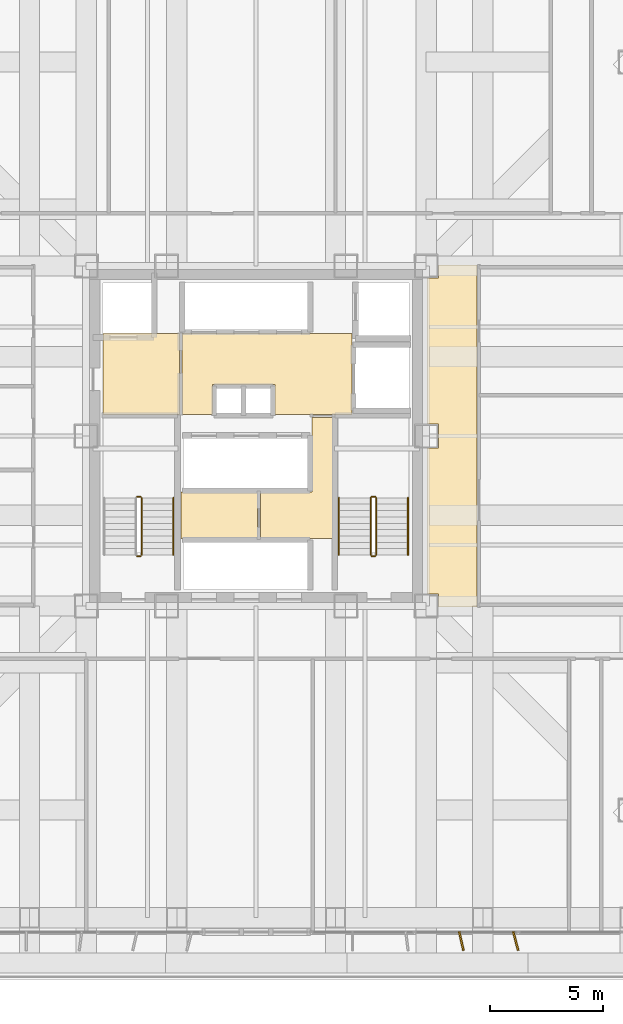
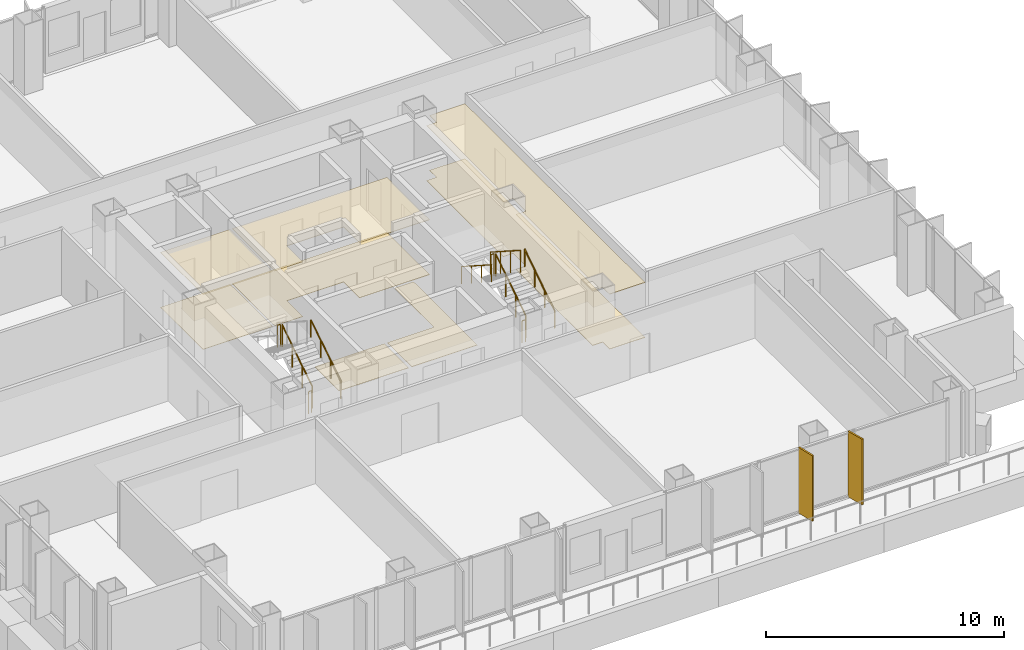
# One storey, part 16 of 17: 10 railings, 8 coverings, 2 shading devices.
"""IFC4 building model written with IfcOpenShell, lengths in metres."""

from ifc_helpers import new_model, si_unit, direction, frame, origin, origin_2d, place, context, subcontext, project, spatial, polyline, rectangle, circle, outline, extrude, material, layer, layer_set, type_object, element, save


model = new_model("IFC4")

# Units and contexts
model_context = context("Model", 3, precision=1e-05, world=origin(), true_north=direction((0.0, 1.0)))
body_context = subcontext(model_context, "Body", "Model", "MODEL_VIEW")
ifc_project = project(units=[si_unit("LENGTHUNIT", "METRE"), si_unit("AREAUNIT", "SQUARE_METRE"), si_unit("VOLUMEUNIT", "CUBIC_METRE"), si_unit("PLANEANGLEUNIT", "RADIAN"), si_unit("MASSUNIT", "GRAM", prefix="KILO")], contexts=[model_context])

# Site, building, storey
site_placement = place(None, origin())
site = spatial("IfcSite", under=ifc_project, at=site_placement, CompositionType="ELEMENT")
building_placement = place(site_placement, origin())
building = spatial("IfcBuilding", under=site, at=building_placement, Name="Trevonay Congress Spire", CompositionType="ELEMENT")
storey_placement = place(building_placement, frame((0.0, 0.0, 94.0)))
storey = spatial("IfcBuildingStorey", under=building, at=storey_placement, Name="L23", CompositionType="ELEMENT", Elevation=94.0)

# Coverings
ifc_material_1 = material(Name="Acoustic Mineral Fibre Board", Category="gypsum")
ifc_layer_1 = layer(ifc_material_1, 0.02490234375, Name="Acoustic Mineral Fibre Board")
ifc_layer_set_1 = layer_set([ifc_layer_1], Name="Acoustic Mineral Fibre Board")
covering_type_1 = type_object("IfcCoveringType", Name="COV-CEIL-ACOUSTIC", PredefinedType="CEILING", material=ifc_layer_set_1)
covering_1_placement = place(storey_placement, frame((0.0, 0.0, 2.81005859375)))
element("IfcCovering", 1, at=covering_1_placement, inside=storey, type_object=covering_type_1, Name="L23 Firefighting Lift Lobby West acoustic suspended ceiling", PredefinedType="CEILING", context=body_context, shape_type="SweptSolid", body=[
    extrude(outline(polyline([(-6.75, 0.9599609375), (-3.3798828125, 0.9599609375), (-3.3798828125, 4.52001953125), (-6.75, 4.52001953125), (-6.75, 0.9599609375)])), origin(), (0.0, 0.0, 1.0), 0.02490234375),
])
covering_2_placement = place(storey_placement, frame((0.0, 0.0, 2.81005859375)))
element("IfcCovering", 2, at=covering_2_placement, inside=storey, type_object=covering_type_1, Name="L23 Central and High-Rise Passenger Lift Lobby acoustic suspended ceiling", PredefinedType="CEILING", context=body_context, shape_type="SweptSolid", body=[
    extrude(outline(polyline([(-3.280029296875, 0.949951171875), (-1.919921875, 0.949951171875), (-1.919921875, 2.280029296875), (0.820068359375, 2.280029296875), (0.820068359375, 0.949951171875), (4.219970703125, 0.949951171875), (4.219970703125, 4.52001953125), (-3.280029296875, 4.52001953125), (-3.280029296875, 0.949951171875)])), origin(), (0.0, 0.0, 1.0), 0.02490234375),
])
covering_3_placement = place(storey_placement, frame((0.0, 0.0, 2.81005859375)))
element("IfcCovering", 3, at=covering_3_placement, inside=storey, type_object=covering_type_1, Name="L23 Sky Lobby Concourse East acoustic suspended ceiling", PredefinedType="CEILING", context=body_context, shape_type="SweptSolid", body=[
    extrude(outline(polyline([(9.75, -7.550048828125), (8.034912109375, -7.550048828125), (8.034912109375, -6.965087890625), (7.550048828125, -6.965087890625), (7.550048828125, -0.534912109375), (8.034912109375, -0.534912109375), (8.034912109375, 0.534912109375), (7.550048828125, 0.534912109375), (7.550048828125, 6.965087890625), (8.034912109375, 6.965087890625), (8.034912109375, 7.550048828125), (9.75, 7.550048828125), (9.75, -7.550048828125)])), origin(), (0.0, 0.0, 1.0), 0.02490234375),
])
ifc_material_2 = material(Name="Polished Granite Floor Tile", Category="masonry")
ifc_layer_2 = layer(ifc_material_2, 0.02001953125, Name="Polished Granite Floor Tile")
ifc_layer_set_2 = layer_set([ifc_layer_2], Name="Polished Granite Floor Tile")
covering_type_2 = type_object("IfcCoveringType", Name="COV-FLOOR-STONE", PredefinedType="FLOORING", material=ifc_layer_set_2)
covering_4_placement = place(storey_placement, origin())
element("IfcCovering", 4, at=covering_4_placement, inside=storey, type_object=covering_type_2, Name="L23 Firefighting Lift Lobby West floor finish", PredefinedType="FLOORING", context=body_context, shape_type="SweptSolid", body=[
    extrude(outline(polyline([(-6.75, 0.9599609375), (-3.3798828125, 0.9599609375), (-3.3798828125, 4.52001953125), (-6.75, 4.52001953125), (-6.75, 0.9599609375)])), origin(), (0.0, 0.0, 1.0), 0.02001953125),
])
covering_5_placement = place(storey_placement, origin())
element("IfcCovering", 5, at=covering_5_placement, inside=storey, type_object=covering_type_2, Name="L23 Central and High-Rise Passenger Lift Lobby floor finish", PredefinedType="FLOORING", context=body_context, shape_type="SweptSolid", body=[
    extrude(outline(polyline([(-3.280029296875, 0.949951171875), (-1.919921875, 0.949951171875), (-1.919921875, 2.280029296875), (0.820068359375, 2.280029296875), (0.820068359375, 0.949951171875), (4.219970703125, 0.949951171875), (4.219970703125, 4.52001953125), (-3.280029296875, 4.52001953125), (-3.280029296875, 0.949951171875)])), origin(), (0.0, 0.0, 1.0), 0.02001953125),
])
covering_6_placement = place(storey_placement, origin())
element("IfcCovering", 6, at=covering_6_placement, inside=storey, type_object=covering_type_2, Name="L23 Cleaner and Linen Closet floor finish", PredefinedType="FLOORING", context=body_context, shape_type="SweptSolid", body=[
    extrude(outline(polyline([(-3.320068359375, -4.52001953125), (0.050048828125, -4.52001953125), (0.050048828125, -2.47998046875), (-3.320068359375, -2.47998046875), (-3.320068359375, -4.52001953125)])), origin(), (0.0, 0.0, 1.0), 0.02001953125),
])
covering_7_placement = place(storey_placement, origin())
element("IfcCovering", 7, at=covering_7_placement, inside=storey, type_object=covering_type_2, Name="L23 BMS Control Room floor finish", PredefinedType="FLOORING", context=body_context, shape_type="SweptSolid", body=[
    extrude(outline(polyline([(0.199951171875, -4.52001953125), (3.3798828125, -4.52001953125), (3.3798828125, 0.820068359375), (2.4599609375, 0.820068359375), (2.4599609375, -2.47998046875), (0.199951171875, -2.47998046875), (0.199951171875, -4.52001953125)])), origin(), (0.0, 0.0, 1.0), 0.02001953125),
])
covering_8_placement = place(storey_placement, origin())
element("IfcCovering", 8, at=covering_8_placement, inside=storey, type_object=covering_type_2, Name="L23 Sky Lobby Concourse East floor finish", PredefinedType="FLOORING", context=body_context, shape_type="SweptSolid", body=[
    extrude(outline(polyline([(9.75, -7.550048828125), (8.034912109375, -7.550048828125), (8.034912109375, -6.965087890625), (7.550048828125, -6.965087890625), (7.550048828125, -0.534912109375), (8.034912109375, -0.534912109375), (8.034912109375, 0.534912109375), (7.550048828125, 0.534912109375), (7.550048828125, 6.965087890625), (8.034912109375, 6.965087890625), (8.034912109375, 7.550048828125), (9.75, 7.550048828125), (9.75, -7.550048828125)])), origin(), (0.0, 0.0, 1.0), 0.02001953125),
])

# Railings
ifc_material_3 = material(Name="Pale Anodised Aluminium EN AW-6063-T6", Category="aluminium")
railing_type_1 = type_object("IfcRailingType", Name="RAL-STAIR-GUARD-110", PredefinedType="GUARDRAIL", material=ifc_material_3)
railing_1_placement = place(storey_placement, frame((-5.050048828125, -5.25, 0.179931640625)))
element("IfcRailing", 9, at=railing_1_placement, inside=storey, type_object=railing_type_1, Name="L23 ST-1 stair guard 1", PredefinedType="GUARDRAIL", context=body_context, shape_type="SweptSolid", body=[
    extrude(circle(Radius=0.02392578125, at=origin_2d()), frame((0.0, 0.0, 1.1259765625), z_axis=(0.0, 0.841162588446, 0.540782303519), x_axis=(-1.0, 0.0, 0.0)), (0.0, 0.0, 1.0), 2.995849609375),
    extrude(circle(Radius=0.02099609375, at=origin_2d()), origin(), (0.0, 0.0, 1.0), 1.101806640625),
    extrude(circle(Radius=0.02099609375, at=origin_2d()), frame((0.0, 0.840087890625, 0.5400390625)), (0.0, 0.0, 1.0), 1.101806640625),
    extrude(circle(Radius=0.02099609375, at=origin_2d()), frame((0.0, 1.679931640625, 1.080078125)), (0.0, 0.0, 1.0), 1.101806640625),
    extrude(circle(Radius=0.02099609375, at=origin_2d()), frame((0.0, 2.52001953125, 1.6201171875)), (0.0, 0.0, 1.0), 1.101806640625),
])
for number, where, name in (
    (10, (-5.10009765625, -2.679931640625, 1.800048828125), "L23 ST-1 stair guard 2"),
    (11, (-5.10009765625, -5.300048828125, 0.0), "L23 ST-1 stair guard 4"),
):
    element("IfcRailing", number, at=place(storey_placement, frame(where)), inside=storey, type_object=railing_type_1, Name=name, PredefinedType="GUARDRAIL", context=body_context, shape_type="SweptSolid", body=[
        extrude(circle(Radius=0.02392578125, at=origin_2d()), frame((0.0, 0.0, 1.1259765625), z_axis=(-1.0, 0.0, 0.0), x_axis=(0.0, -1.0, 0.0)), (0.0, 0.0, 1.0), 0.14990234375),
        extrude(circle(Radius=0.02099609375, at=origin_2d()), origin(), (0.0, 0.0, 1.0), 1.101806640625),
        extrude(circle(Radius=0.02099609375, at=origin_2d()), frame((-0.14990234375, 0.0, 0.0)), (0.0, 0.0, 1.0), 1.101806640625),
    ])
railing_2_placement = place(storey_placement, frame((5.300048828125, -5.25, 0.179931640625)))
element("IfcRailing", 12, at=railing_2_placement, inside=storey, type_object=railing_type_1, Name="L23 ST-2 stair guard 1", PredefinedType="GUARDRAIL", context=body_context, shape_type="SweptSolid", body=[
    extrude(circle(Radius=0.02392578125, at=origin_2d()), frame((0.0, 0.0, 1.1259765625), z_axis=(0.0, 0.841162588446, 0.540782303519), x_axis=(-1.0, 0.0, 0.0)), (0.0, 0.0, 1.0), 2.995849609375),
    extrude(circle(Radius=0.02099609375, at=origin_2d()), origin(), (0.0, 0.0, 1.0), 1.101806640625),
    extrude(circle(Radius=0.02099609375, at=origin_2d()), frame((0.0, 0.840087890625, 0.5400390625)), (0.0, 0.0, 1.0), 1.101806640625),
    extrude(circle(Radius=0.02099609375, at=origin_2d()), frame((0.0, 1.679931640625, 1.080078125)), (0.0, 0.0, 1.0), 1.101806640625),
    extrude(circle(Radius=0.02099609375, at=origin_2d()), frame((0.0, 2.52001953125, 1.6201171875)), (0.0, 0.0, 1.0), 1.101806640625),
])
railing_3_placement = place(storey_placement, frame((5.25, -2.679931640625, 1.800048828125)))
element("IfcRailing", 13, at=railing_3_placement, inside=storey, type_object=railing_type_1, Name="L23 ST-2 stair guard 2", PredefinedType="GUARDRAIL", context=body_context, shape_type="SweptSolid", body=[
    extrude(circle(Radius=0.02392578125, at=origin_2d()), frame((0.0, 0.0, 1.1259765625), z_axis=(-1.0, 0.0, 0.0), x_axis=(0.0, -1.0, 0.0)), (0.0, 0.0, 1.0), 0.14990234375),
    extrude(circle(Radius=0.02099609375, at=origin_2d()), origin(), (0.0, 0.0, 1.0), 1.101806640625),
    extrude(circle(Radius=0.02099609375, at=origin_2d()), frame((-0.14990234375, 0.0, 0.0)), (0.0, 0.0, 1.0), 1.101806640625),
])
railing_4_placement = place(storey_placement, frame((5.050048828125, -2.72998046875, 1.97998046875)))
element("IfcRailing", 14, at=railing_4_placement, inside=storey, type_object=railing_type_1, Name="L23 ST-2 stair guard 3", PredefinedType="GUARDRAIL", context=body_context, shape_type="SweptSolid", body=[
    extrude(circle(Radius=0.02392578125, at=origin_2d()), frame((0.0, 0.0, 1.1259765625), z_axis=(0.0, -0.841162588446, 0.540782303519), x_axis=(1.0, 0.0, 0.0)), (0.0, 0.0, 1.0), 2.995849609375),
    extrude(circle(Radius=0.02099609375, at=origin_2d()), origin(), (0.0, 0.0, 1.0), 1.101806640625),
    extrude(circle(Radius=0.02099609375, at=origin_2d()), frame((0.0, -0.840087890625, 0.5400390625)), (0.0, 0.0, 1.0), 1.101806640625),
    extrude(circle(Radius=0.02099609375, at=origin_2d()), frame((0.0, -1.679931640625, 1.080078125)), (0.0, 0.0, 1.0), 1.101806640625),
    extrude(circle(Radius=0.02099609375, at=origin_2d()), frame((0.0, -2.52001953125, 1.6201171875)), (0.0, 0.0, 1.0), 1.101806640625),
])
railing_5_placement = place(storey_placement, frame((5.25, -5.300048828125, 0.0)))
element("IfcRailing", 15, at=railing_5_placement, inside=storey, type_object=railing_type_1, Name="L23 ST-2 stair guard 4", PredefinedType="GUARDRAIL", context=body_context, shape_type="SweptSolid", body=[
    extrude(circle(Radius=0.02392578125, at=origin_2d()), frame((0.0, 0.0, 1.1259765625), z_axis=(-1.0, 0.0, 0.0), x_axis=(0.0, -1.0, 0.0)), (0.0, 0.0, 1.0), 0.14990234375),
    extrude(circle(Radius=0.02099609375, at=origin_2d()), origin(), (0.0, 0.0, 1.0), 1.101806640625),
    extrude(circle(Radius=0.02099609375, at=origin_2d()), frame((-0.14990234375, 0.0, 0.0)), (0.0, 0.0, 1.0), 1.101806640625),
])
railing_type_2 = type_object("IfcRailingType", Name="RAL-STAIR-HANDRAIL", PredefinedType="HANDRAIL", material=ifc_material_3)
for number, where, name in (
    (16, (-3.64990234375, -5.25, 0.179931640625), "L23 ST-1 stair handrail 1"),
    (17, (6.699951171875, -5.25, 0.179931640625), "L23 ST-2 stair handrail 1"),
):
    element("IfcRailing", number, at=place(storey_placement, frame(where)), inside=storey, type_object=railing_type_2, Name=name, PredefinedType="HANDRAIL", context=body_context, shape_type="SweptSolid", body=[
        extrude(circle(Radius=0.02392578125, at=origin_2d()), frame((0.0, 0.0, 0.8759765625), z_axis=(0.0, 0.841162588446, 0.540782303519), x_axis=(-1.0, 0.0, 0.0)), (0.0, 0.0, 1.0), 2.995849609375),
        extrude(circle(Radius=0.02099609375, at=origin_2d()), origin(), (0.0, 0.0, 1.0), 0.851806640625),
        extrude(circle(Radius=0.02099609375, at=origin_2d()), frame((0.0, 0.840087890625, 0.5400390625)), (0.0, 0.0, 1.0), 0.851806640625),
        extrude(circle(Radius=0.02099609375, at=origin_2d()), frame((0.0, 1.679931640625, 1.080078125)), (0.0, 0.0, 1.0), 0.851806640625),
        extrude(circle(Radius=0.02099609375, at=origin_2d()), frame((0.0, 2.52001953125, 1.6201171875)), (0.0, 0.0, 1.0), 0.851806640625),
    ])
railing_6_placement = place(storey_placement, frame((3.64990234375, -2.72998046875, 1.97998046875)))
element("IfcRailing", 18, at=railing_6_placement, inside=storey, type_object=railing_type_2, Name="L23 ST-2 stair handrail 2", PredefinedType="HANDRAIL", context=body_context, shape_type="SweptSolid", body=[
    extrude(circle(Radius=0.02392578125, at=origin_2d()), frame((0.0, 0.0, 0.8759765625), z_axis=(0.0, -0.841162588446, 0.540782303519), x_axis=(1.0, 0.0, 0.0)), (0.0, 0.0, 1.0), 2.995849609375),
    extrude(circle(Radius=0.02099609375, at=origin_2d()), origin(), (0.0, 0.0, 1.0), 0.851806640625),
    extrude(circle(Radius=0.02099609375, at=origin_2d()), frame((0.0, -0.840087890625, 0.5400390625)), (0.0, 0.0, 1.0), 0.851806640625),
    extrude(circle(Radius=0.02099609375, at=origin_2d()), frame((0.0, -1.679931640625, 1.080078125)), (0.0, 0.0, 1.0), 0.851806640625),
    extrude(circle(Radius=0.02099609375, at=origin_2d()), frame((0.0, -2.52001953125, 1.6201171875)), (0.0, 0.0, 1.0), 0.851806640625),
])

# Shading devices
shading_device_type = type_object("IfcShadingDeviceType", Name="SHD-FIN-Z2-PALE-METAL", PredefinedType="USERDEFINED", material=ifc_material_3)
for number, where, z_axis, x_axis, name in (
    (19, (9.050048828125, -22.280029296875, 0.0), (0.0, 0.0, 1.0), (0.97440931131, 0.224780991261, 0.0), "L23 S vertical pale-metal solar fin 11"),
    (20, (11.449951171875, -22.280029296875, 0.0), (0.0, 0.0, 1.0), (0.965925826289, 0.258819045103, 0.0), "L23 S vertical pale-metal solar fin 12"),
):
    element("IfcShadingDevice", number, at=place(storey_placement, frame(where, z_axis=z_axis, x_axis=x_axis)), inside=storey, type_object=shading_device_type, Name=name, ObjectType="SOLAR FIN", PredefinedType="USERDEFINED", context=body_context, shape_type="SweptSolid", body=[
        extrude(rectangle(XDim=0.080078125, YDim=0.85009765625, at=origin_2d()), origin(), (0.0, 0.0, 1.0), 3.360107421875),
    ])

save(model, "model.ifc")
